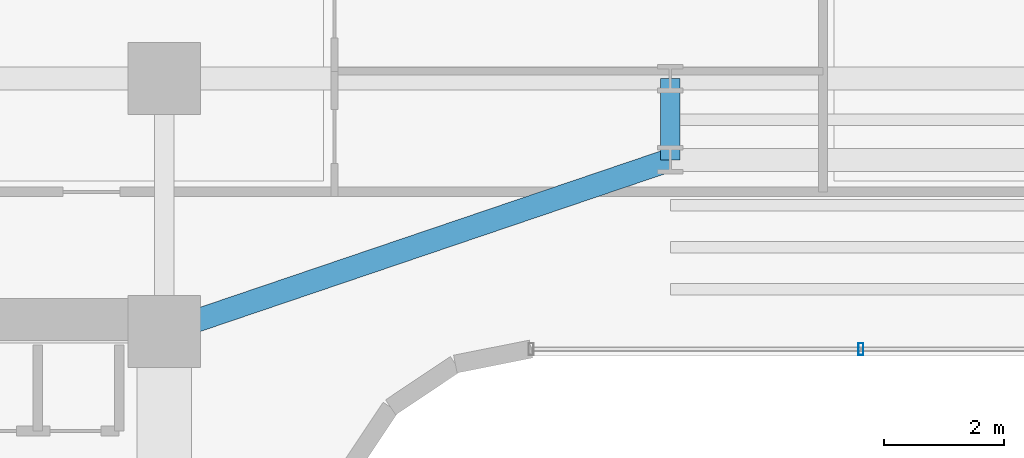
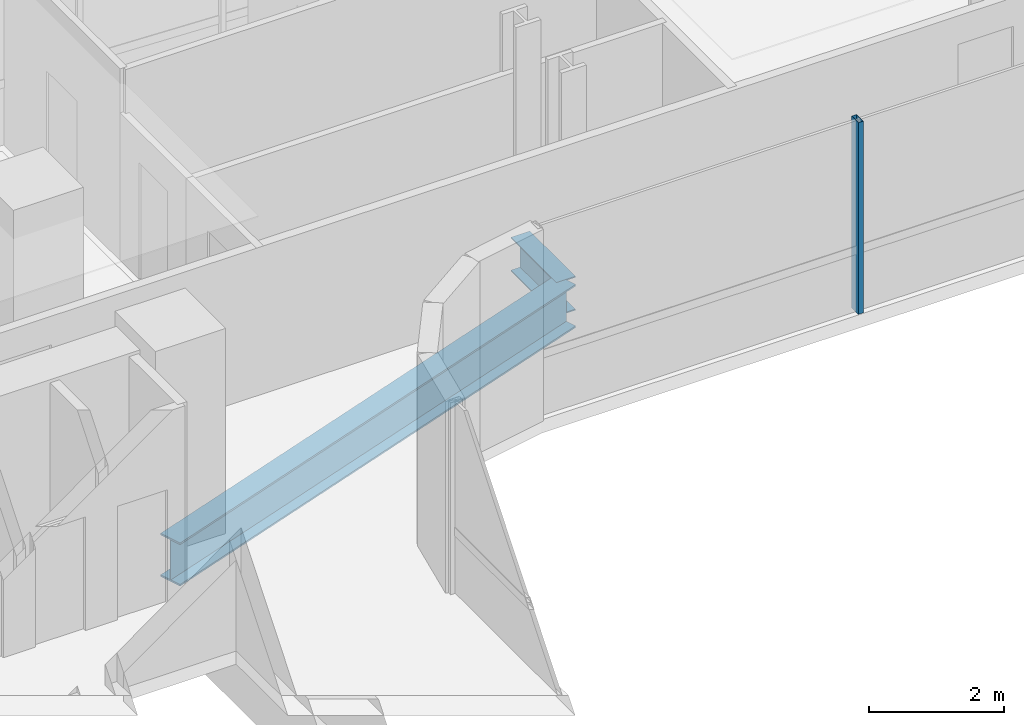
# One storey, part 10 of 36: 2 beams, 1 member, 1 element without a shape of its own.
"""IFC4 building model written with IfcOpenShell, lengths in metres."""

from ifc_helpers import new_model, si_unit, direction, frame, origin, origin_2d, place, context, subcontext, project, spatial, hollow_rectangle, i_section, extrude, source, transform, mapped, material, material_profile, profile_set, type_object, element, aggregate, save


model = new_model("IFC4")

# Units and contexts
model_context = context("Model", 3, precision=1e-05, world=origin(), true_north=direction((0.0, 1.0)))
body_context = subcontext(model_context, "Body", "Model", "MODEL_VIEW")
ifc_project = project(units=[si_unit("LENGTHUNIT", "METRE"), si_unit("AREAUNIT", "SQUARE_METRE"), si_unit("VOLUMEUNIT", "CUBIC_METRE"), si_unit("PLANEANGLEUNIT", "RADIAN"), si_unit("MASSUNIT", "GRAM", prefix="KILO")], contexts=[model_context])

# Site, building, storey
site_placement = place(None, origin())
site = spatial("IfcSite", under=ifc_project, at=site_placement, CompositionType="ELEMENT")
building_placement = place(site_placement, origin())
building = spatial("IfcBuilding", under=site, at=building_placement, Name="Valdorenza Pilgrim Sanctuary Tower", CompositionType="ELEMENT")
storey_placement = place(building_placement, frame((0.0, 0.0, 109.39990234375)))
storey = spatial("IfcBuildingStorey", under=building, at=storey_placement, Name="L27", CompositionType="ELEMENT", Elevation=109.39990234375)

# Beams
ifc_material_1 = material(Name="Steel ASTM A992 Grade 50", Category="steel")
ifc_material_profile_1 = material_profile(ifc_material_1, i_section(OverallWidth=0.323974609375, OverallDepth=0.611083984375, WebThickness=0.0126953125, FlangeThickness=0.01904296875, at=origin_2d()), Name="W24X104")
ifc_profile_set_1 = profile_set([ifc_material_profile_1], Name="Steel ASTM A992 Grade 50")
beam_type_1 = type_object("IfcBeamType", Name="STR-BM-GRD-W24B", PredefinedType="BEAM", material=ifc_profile_set_1)
shared_shape_1 = source(origin(), body_context, "Body", "SweptSolid", [
    extrude(i_section(OverallWidth=0.323974609375, OverallDepth=0.611083984375, WebThickness=0.0126953125, FlangeThickness=0.01904296875, at=origin_2d()), origin(), (0.0, 0.0, 1.0), 1.35009765625),
])
beam_1_placement = place(storey_placement, frame((-4.0, 13.449951171875, -0.54541015625), z_axis=(0.0, 1.0, 0.0), x_axis=(-1.0, 0.0, 0.0)))
element("IfcBeam", 1, at=beam_1_placement, inside=storey, type_object=beam_type_1, Name="L27 Floor Girder KNK-TIE-W", PredefinedType="BEAM", context=body_context, shape_type="MappedRepresentation", body=[
    mapped(shared_shape_1, transform((0.0, 0.0, 0.0), x_axis=(1.0, 0.0, 0.0), y_axis=(0.0, 1.0, 0.0), z_axis=(0.0, 0.0, 1.0), scale=1.0)),
])
ifc_material_profile_2 = material_profile(ifc_material_1, i_section(OverallWidth=0.382080078125, OverallDepth=0.779052734375, WebThickness=0.01806640625, FlangeThickness=0.030029296875, at=origin_2d()), Name="W30X191")
ifc_profile_set_2 = profile_set([ifc_material_profile_2], Name="Steel ASTM A992 Grade 50")
beam_type_2 = type_object("IfcBeamType", Name="STR-BM-GRD-W30", PredefinedType="BEAM", material=ifc_profile_set_2)
shared_shape_2 = source(origin(), body_context, "Body", "SweptSolid", [
    extrude(i_section(OverallWidth=0.382080078125, OverallDepth=0.779052734375, WebThickness=0.01806640625, FlangeThickness=0.030029296875, at=origin_2d()), origin(), (0.0, 0.0, 1.0), 8.8701171875),
])
beam_2_placement = place(storey_placement, frame((-12.39990234375, 10.60009765625, -0.62939453125), z_axis=(0.946982588361, 0.321284885018, 0.0), x_axis=(-0.321284885018, 0.946982588361, 0.0)))
element("IfcBeam", 2, at=beam_2_placement, inside=storey, type_object=beam_type_2, Name="L27 Floor Girder KNK-G1", PredefinedType="BEAM", context=body_context, shape_type="MappedRepresentation", body=[
    mapped(shared_shape_2, transform((0.0, 0.0, 0.0), x_axis=(1.0, 0.0, 0.0), y_axis=(0.0, 1.0, 0.0), z_axis=(0.0, 0.0, 1.0), scale=1.0)),
])

# Curtain wall, member
ifc_material_2 = material(Name="Curtain-wall IGU glazing", Category="glass")
curtain_wall_type = type_object("IfcCurtainWallType", Name="CW-SYS-02", PredefinedType="NOTDEFINED", material=ifc_material_2)
curtain_wall_placement = place(storey_placement, origin())
curtain_wall = element("IfcCurtainWall", 3, at=curtain_wall_placement, inside=storey, type_object=curtain_wall_type, Name="L27 Curtain Wall CW-L27-1-36", PredefinedType="NOTDEFINED")
ifc_material_3 = material(Name="Anodised aluminium AW-6060", Category="aluminium")
ifc_material_profile_3 = material_profile(ifc_material_3, hollow_rectangle(XDim=0.0849609375, YDim=0.199951171875, WallThickness=0.0048828125, at=origin_2d()), Name="ALU-M 200x85x5")
ifc_profile_set_3 = profile_set([ifc_material_profile_3], Name="Anodised aluminium AW-6060")
member_type = type_object("IfcMemberType", Name="CW-MUL-02", PredefinedType="MULLION", material=ifc_profile_set_3)
shared_shape_3 = source(origin(), body_context, "Body", "SweptSolid", [
    extrude(hollow_rectangle(XDim=0.0849609375, YDim=0.199951171875, WallThickness=0.0048828125, at=origin_2d()), origin(), (0.0, 0.0, 1.0), 3.460205078125),
])
member_placement = place(storey_placement, frame((-0.8369140625, 10.31005859375, 0.0), z_axis=(0.0, 0.0, 1.0), x_axis=(-1.0, 0.0, 0.0)))
member = element("IfcMember", 4, at=member_placement, type_object=member_type, Name="CW-L27-1-36 Mullion 3", PredefinedType="MULLION", context=body_context, shape_type="MappedRepresentation", body=[
    mapped(shared_shape_3, transform((0.0, 0.0, 0.0), x_axis=(1.0, 0.0, 0.0), y_axis=(0.0, 1.0, 0.0), z_axis=(0.0, 0.0, 1.0), scale=1.0)),
])
aggregate(curtain_wall, [member])

save(model, "model.ifc")
